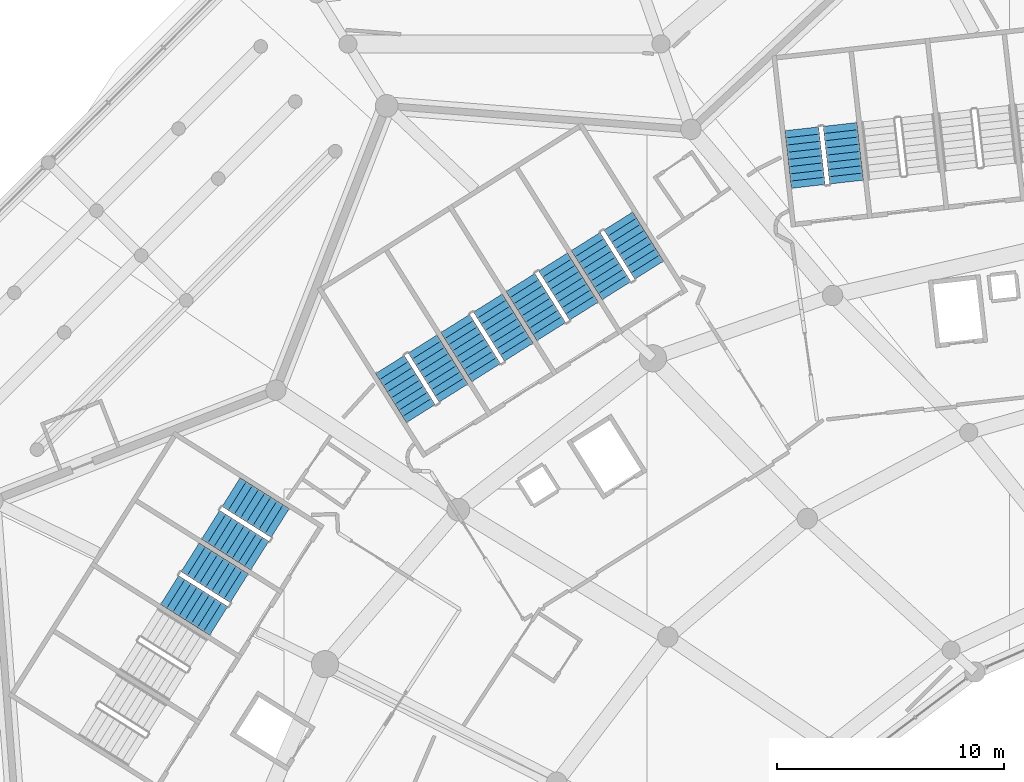
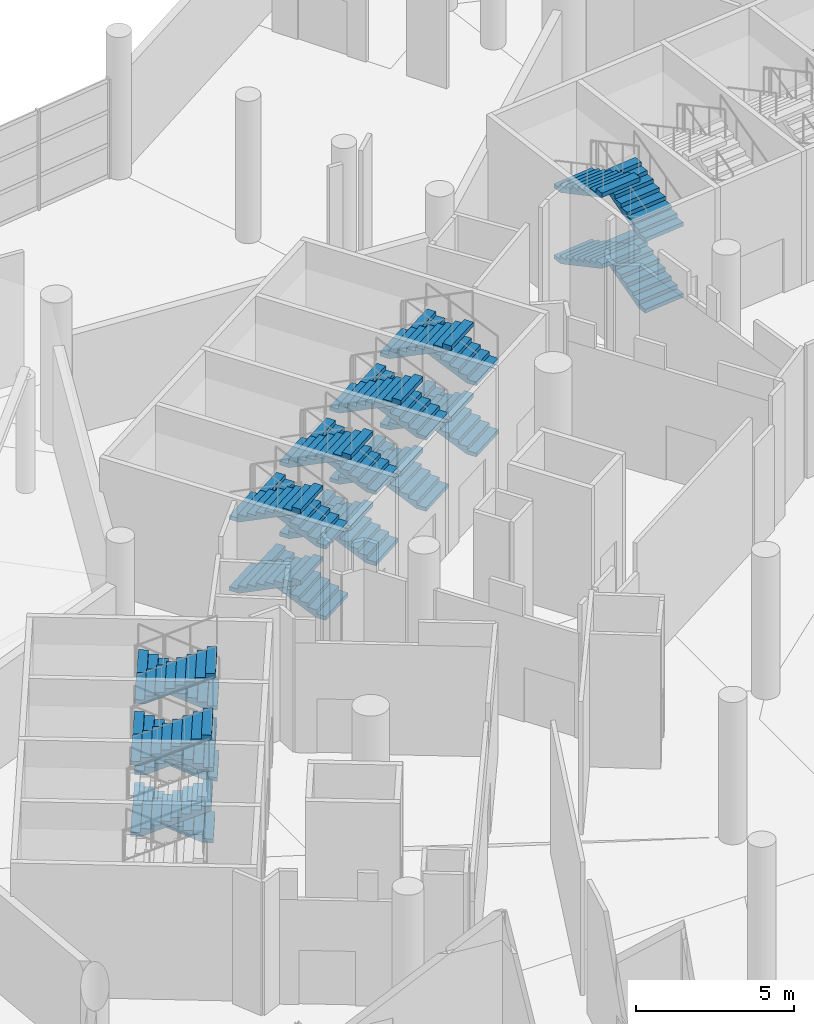
# One storey, part 215 of 271: 28 stair flights, 7 elements without a shape of their own.
"""IFC4 building model written with IfcOpenShell, lengths in metres."""

from ifc_helpers import new_model, si_unit, direction, frame, origin, place, context, subcontext, project, spatial, polyline, outline, extrude, material, type_object, element, aggregate, save


model = new_model("IFC4")

# Units and contexts
model_context = context("Model", 3, precision=1e-05, world=origin(), true_north=direction((0.0, 1.0)))
body_context = subcontext(model_context, "Body", "Model", "MODEL_VIEW")
ifc_project = project(units=[si_unit("LENGTHUNIT", "METRE"), si_unit("AREAUNIT", "SQUARE_METRE"), si_unit("VOLUMEUNIT", "CUBIC_METRE"), si_unit("PLANEANGLEUNIT", "RADIAN"), si_unit("MASSUNIT", "GRAM", prefix="KILO")], contexts=[model_context])

# Site, building, storey
site_placement = place(None, origin())
site = spatial("IfcSite", under=ifc_project, at=site_placement, CompositionType="ELEMENT")
building_placement = place(site_placement, origin())
building = spatial("IfcBuilding", under=site, at=building_placement, Name="Meseta Stadium", CompositionType="ELEMENT")
storey_placement = place(building_placement, frame((0.0, 0.0, 6.5)))
storey = spatial("IfcBuildingStorey", under=building, at=storey_placement, Name="L01", CompositionType="ELEMENT", Elevation=6.5)

# Stair, stair flights
ifc_material_1 = material(Name="Concrete C40/50", Category="concrete")
stair_type = type_object("IfcStairType", Name="Exit stair 4 flights 153 mm risers", PredefinedType="HALF_TURN_STAIR", material=ifc_material_1)
stair_1_placement = place(storey_placement, origin())
stair_1 = element("IfcStair", 1, at=stair_1_placement, inside=storey, type_object=stair_type, Name="ST48 L01", PredefinedType="HALF_TURN_STAIR")
ifc_material_2 = material(Name="Concrete C40/50", Category="concrete")
stair_flight_type = type_object("IfcStairFlightType", Name="Exit stair flight 153 mm risers, 4 per storey", PredefinedType="STRAIGHT", material=ifc_material_2)
stair_flight_1_placement = place(storey_placement, frame((-55.183349609375, 93.545654296875, 0.0), z_axis=(0.0, 0.0, 1.0), x_axis=(-0.11196446867, 0.993712210731, 0.0)))
stair_flight_1 = element("IfcStairFlight", 2, at=stair_flight_1_placement, type_object=stair_flight_type, Name="ST48 L01 flight 1", NumberOfRisers=9, NumberOfTreads=8, PredefinedType="STRAIGHT", RiserHeight=0.152777778, TreadLength=0.32, context=body_context, shape_type="SweptSolid", body=[
    extrude(outline(polyline([(0.0, 0.0), (0.0, 0.15283203125), (0.320068359375, 0.15283203125), (0.320068359375, 0.3056640625), (0.639892578125, 0.3056640625), (0.639892578125, 0.458251953125), (0.9599609375, 0.458251953125), (0.9599609375, 0.611083984375), (1.280029296875, 0.611083984375), (1.280029296875, 0.763916015625), (1.60009765625, 0.763916015625), (1.60009765625, 0.916748046875), (1.919921875, 0.916748046875), (1.919921875, 1.0693359375), (2.239990234375, 1.0693359375), (2.239990234375, 1.22216796875), (2.56005859375, 1.22216796875), (2.56005859375, 1.05615234375), (0.347900390625, 0.0), (0.0, 0.0)])), frame((0.0, 0.75, 0.0), z_axis=(0.0, -1.0, 0.0), x_axis=(1.0, 0.0, 0.0)), (0.0, 0.0, 1.0), 1.5),
])
stair_flight_2_placement = place(storey_placement, frame((-57.1591796875, 95.899169921875, 1.375), z_axis=(0.0, 0.0, 1.0), x_axis=(0.11196446867, -0.993712210731, 0.0)))
stair_flight_2 = element("IfcStairFlight", 3, at=stair_flight_2_placement, type_object=stair_flight_type, Name="ST48 L01 flight 2", NumberOfRisers=9, NumberOfTreads=8, PredefinedType="STRAIGHT", RiserHeight=0.152777778, TreadLength=0.32, context=body_context, shape_type="SweptSolid", body=[
    extrude(outline(polyline([(0.0, 0.0), (0.0, 0.15283203125), (0.320068359375, 0.15283203125), (0.320068359375, 0.3056640625), (0.639892578125, 0.3056640625), (0.639892578125, 0.458251953125), (0.9599609375, 0.458251953125), (0.9599609375, 0.611083984375), (1.280029296875, 0.611083984375), (1.280029296875, 0.763916015625), (1.60009765625, 0.763916015625), (1.60009765625, 0.916748046875), (1.919921875, 0.916748046875), (1.919921875, 1.0693359375), (2.239990234375, 1.0693359375), (2.239990234375, 1.22216796875), (2.56005859375, 1.22216796875), (2.56005859375, 1.05615234375), (0.347900390625, 0.0), (0.0, 0.0)])), frame((0.0, 0.75, 0.0), z_axis=(0.0, -1.0, 0.0), x_axis=(1.0, 0.0, 0.0)), (0.0, 0.0, 1.0), 1.5),
])
stair_flight_3_placement = place(storey_placement, frame((-55.183349609375, 93.545654296875, 2.75), z_axis=(0.0, 0.0, 1.0), x_axis=(-0.11196446867, 0.993712210731, 0.0)))
stair_flight_3 = element("IfcStairFlight", 4, at=stair_flight_3_placement, type_object=stair_flight_type, Name="ST48 L01 flight 3", NumberOfRisers=9, NumberOfTreads=8, PredefinedType="STRAIGHT", RiserHeight=0.152777778, TreadLength=0.32, context=body_context, shape_type="SweptSolid", body=[
    extrude(outline(polyline([(0.0, 0.0), (0.0, 0.15283203125), (0.320068359375, 0.15283203125), (0.320068359375, 0.3056640625), (0.639892578125, 0.3056640625), (0.639892578125, 0.458251953125), (0.9599609375, 0.458251953125), (0.9599609375, 0.611083984375), (1.280029296875, 0.611083984375), (1.280029296875, 0.763916015625), (1.60009765625, 0.763916015625), (1.60009765625, 0.916748046875), (1.919921875, 0.916748046875), (1.919921875, 1.0693359375), (2.239990234375, 1.0693359375), (2.239990234375, 1.22216796875), (2.56005859375, 1.22216796875), (2.56005859375, 1.05615234375), (0.347900390625, 0.0), (0.0, 0.0)])), frame((0.0, 0.75, 0.0), z_axis=(0.0, -1.0, 0.0), x_axis=(1.0, 0.0, 0.0)), (0.0, 0.0, 1.0), 1.5),
])
stair_flight_4_placement = place(storey_placement, frame((-57.1591796875, 95.899169921875, 4.125), z_axis=(0.0, 0.0, 1.0), x_axis=(0.11196446867, -0.993712210731, 0.0)))
stair_flight_4 = element("IfcStairFlight", 5, at=stair_flight_4_placement, type_object=stair_flight_type, Name="ST48 L01 flight 4", NumberOfRisers=9, NumberOfTreads=8, PredefinedType="STRAIGHT", RiserHeight=0.152777778, TreadLength=0.32, context=body_context, shape_type="SweptSolid", body=[
    extrude(outline(polyline([(0.0, 0.0), (0.0, 0.15283203125), (0.320068359375, 0.15283203125), (0.320068359375, 0.3056640625), (0.639892578125, 0.3056640625), (0.639892578125, 0.458251953125), (0.9599609375, 0.458251953125), (0.9599609375, 0.611083984375), (1.280029296875, 0.611083984375), (1.280029296875, 0.763916015625), (1.60009765625, 0.763916015625), (1.60009765625, 0.916748046875), (1.919921875, 0.916748046875), (1.919921875, 1.0693359375), (2.239990234375, 1.0693359375), (2.239990234375, 1.22216796875), (2.56005859375, 1.22216796875), (2.56005859375, 1.05615234375), (0.347900390625, 0.0), (0.0, 0.0)])), frame((0.0, 0.75, 0.0), z_axis=(0.0, -1.0, 0.0), x_axis=(1.0, 0.0, 0.0)), (0.0, 0.0, 1.0), 1.5),
])
aggregate(stair_1, [stair_flight_1, stair_flight_2, stair_flight_3, stair_flight_4])

stair_2_placement = place(storey_placement, origin())
stair_2 = element("IfcStair", 6, at=stair_2_placement, inside=storey, type_object=stair_type, Name="ST49 L01", PredefinedType="HALF_TURN_STAIR")
stair_flight_5_placement = place(storey_placement, frame((-63.892578125, 89.659423828125, 0.0), z_axis=(0.0, 0.0, 1.0), x_axis=(-0.532032074404, 0.846724200555, 0.0)))
stair_flight_5 = element("IfcStairFlight", 7, at=stair_flight_5_placement, type_object=stair_flight_type, Name="ST49 L01 flight 1", NumberOfRisers=9, NumberOfTreads=8, PredefinedType="STRAIGHT", RiserHeight=0.152777778, TreadLength=0.32, context=body_context, shape_type="SweptSolid", body=[
    extrude(outline(polyline([(0.0, 0.0), (0.0, 0.15283203125), (0.320068359375, 0.15283203125), (0.320068359375, 0.3056640625), (0.639892578125, 0.3056640625), (0.639892578125, 0.458251953125), (0.9599609375, 0.458251953125), (0.9599609375, 0.611083984375), (1.280029296875, 0.611083984375), (1.280029296875, 0.763916015625), (1.60009765625, 0.763916015625), (1.60009765625, 0.916748046875), (1.919921875, 0.916748046875), (1.919921875, 1.0693359375), (2.239990234375, 1.0693359375), (2.239990234375, 1.22216796875), (2.56005859375, 1.22216796875), (2.56005859375, 1.05615234375), (0.347900390625, 0.0), (0.0, 0.0)])), frame((0.0, 0.75, 0.0), z_axis=(0.0, -1.0, 0.0), x_axis=(1.0, 0.0, 0.0)), (0.0, 0.0, 1.0), 1.5),
])
stair_flight_6_placement = place(storey_placement, frame((-66.694091796875, 90.922607421875, 1.375), z_axis=(0.0, 0.0, 1.0), x_axis=(0.532032074404, -0.846724200555, 0.0)))
stair_flight_6 = element("IfcStairFlight", 8, at=stair_flight_6_placement, type_object=stair_flight_type, Name="ST49 L01 flight 2", NumberOfRisers=9, NumberOfTreads=8, PredefinedType="STRAIGHT", RiserHeight=0.152777778, TreadLength=0.32, context=body_context, shape_type="SweptSolid", body=[
    extrude(outline(polyline([(0.0, 0.0), (0.0, 0.15283203125), (0.320068359375, 0.15283203125), (0.320068359375, 0.3056640625), (0.639892578125, 0.3056640625), (0.639892578125, 0.458251953125), (0.9599609375, 0.458251953125), (0.9599609375, 0.611083984375), (1.280029296875, 0.611083984375), (1.280029296875, 0.763916015625), (1.60009765625, 0.763916015625), (1.60009765625, 0.916748046875), (1.919921875, 0.916748046875), (1.919921875, 1.0693359375), (2.239990234375, 1.0693359375), (2.239990234375, 1.22216796875), (2.56005859375, 1.22216796875), (2.56005859375, 1.05615234375), (0.347900390625, 0.0), (0.0, 0.0)])), frame((0.0, 0.75, 0.0), z_axis=(0.0, -1.0, 0.0), x_axis=(1.0, 0.0, 0.0)), (0.0, 0.0, 1.0), 1.5),
])
stair_flight_7_placement = place(storey_placement, frame((-63.892578125, 89.659423828125, 2.75), z_axis=(0.0, 0.0, 1.0), x_axis=(-0.532032074404, 0.846724200555, 0.0)))
stair_flight_7 = element("IfcStairFlight", 9, at=stair_flight_7_placement, type_object=stair_flight_type, Name="ST49 L01 flight 3", NumberOfRisers=9, NumberOfTreads=8, PredefinedType="STRAIGHT", RiserHeight=0.152777778, TreadLength=0.32, context=body_context, shape_type="SweptSolid", body=[
    extrude(outline(polyline([(0.0, 0.0), (0.0, 0.15283203125), (0.320068359375, 0.15283203125), (0.320068359375, 0.3056640625), (0.639892578125, 0.3056640625), (0.639892578125, 0.458251953125), (0.9599609375, 0.458251953125), (0.9599609375, 0.611083984375), (1.280029296875, 0.611083984375), (1.280029296875, 0.763916015625), (1.60009765625, 0.763916015625), (1.60009765625, 0.916748046875), (1.919921875, 0.916748046875), (1.919921875, 1.0693359375), (2.239990234375, 1.0693359375), (2.239990234375, 1.22216796875), (2.56005859375, 1.22216796875), (2.56005859375, 1.05615234375), (0.347900390625, 0.0), (0.0, 0.0)])), frame((0.0, 0.75, 0.0), z_axis=(0.0, -1.0, 0.0), x_axis=(1.0, 0.0, 0.0)), (0.0, 0.0, 1.0), 1.5),
])
stair_flight_8_placement = place(storey_placement, frame((-66.694091796875, 90.922607421875, 4.125), z_axis=(0.0, 0.0, 1.0), x_axis=(0.532032074404, -0.846724200555, 0.0)))
stair_flight_8 = element("IfcStairFlight", 10, at=stair_flight_8_placement, type_object=stair_flight_type, Name="ST49 L01 flight 4", NumberOfRisers=9, NumberOfTreads=8, PredefinedType="STRAIGHT", RiserHeight=0.152777778, TreadLength=0.32, context=body_context, shape_type="SweptSolid", body=[
    extrude(outline(polyline([(0.0, 0.0), (0.0, 0.15283203125), (0.320068359375, 0.15283203125), (0.320068359375, 0.3056640625), (0.639892578125, 0.3056640625), (0.639892578125, 0.458251953125), (0.9599609375, 0.458251953125), (0.9599609375, 0.611083984375), (1.280029296875, 0.611083984375), (1.280029296875, 0.763916015625), (1.60009765625, 0.763916015625), (1.60009765625, 0.916748046875), (1.919921875, 0.916748046875), (1.919921875, 1.0693359375), (2.239990234375, 1.0693359375), (2.239990234375, 1.22216796875), (2.56005859375, 1.22216796875), (2.56005859375, 1.05615234375), (0.347900390625, 0.0), (0.0, 0.0)])), frame((0.0, 0.75, 0.0), z_axis=(0.0, -1.0, 0.0), x_axis=(1.0, 0.0, 0.0)), (0.0, 0.0, 1.0), 1.5),
])
aggregate(stair_2, [stair_flight_5, stair_flight_6, stair_flight_7, stair_flight_8])

stair_3_placement = place(storey_placement, origin())
stair_3 = element("IfcStair", 11, at=stair_3_placement, inside=storey, type_object=stair_type, Name="ST50 L01", PredefinedType="HALF_TURN_STAIR")
stair_flight_9_placement = place(storey_placement, frame((-66.771484375, 87.8505859375, 0.0), z_axis=(0.0, 0.0, 1.0), x_axis=(-0.532032074404, 0.846724200555, 0.0)))
stair_flight_9 = element("IfcStairFlight", 12, at=stair_flight_9_placement, type_object=stair_flight_type, Name="ST50 L01 flight 1", NumberOfRisers=9, NumberOfTreads=8, PredefinedType="STRAIGHT", RiserHeight=0.152777778, TreadLength=0.32, context=body_context, shape_type="SweptSolid", body=[
    extrude(outline(polyline([(0.0, 0.0), (0.0, 0.15283203125), (0.320068359375, 0.15283203125), (0.320068359375, 0.3056640625), (0.639892578125, 0.3056640625), (0.639892578125, 0.458251953125), (0.9599609375, 0.458251953125), (0.9599609375, 0.611083984375), (1.280029296875, 0.611083984375), (1.280029296875, 0.763916015625), (1.60009765625, 0.763916015625), (1.60009765625, 0.916748046875), (1.919921875, 0.916748046875), (1.919921875, 1.0693359375), (2.239990234375, 1.0693359375), (2.239990234375, 1.22216796875), (2.56005859375, 1.22216796875), (2.56005859375, 1.05615234375), (0.347900390625, 0.0), (0.0, 0.0)])), frame((0.0, 0.75, 0.0), z_axis=(0.0, -1.0, 0.0), x_axis=(1.0, 0.0, 0.0)), (0.0, 0.0, 1.0), 1.5),
])
stair_flight_10_placement = place(storey_placement, frame((-69.57275390625, 89.11376953125, 1.375), z_axis=(0.0, 0.0, 1.0), x_axis=(0.532032074404, -0.846724200555, 0.0)))
stair_flight_10 = element("IfcStairFlight", 13, at=stair_flight_10_placement, type_object=stair_flight_type, Name="ST50 L01 flight 2", NumberOfRisers=9, NumberOfTreads=8, PredefinedType="STRAIGHT", RiserHeight=0.152777778, TreadLength=0.32, context=body_context, shape_type="SweptSolid", body=[
    extrude(outline(polyline([(0.0, 0.0), (0.0, 0.15283203125), (0.320068359375, 0.15283203125), (0.320068359375, 0.3056640625), (0.639892578125, 0.3056640625), (0.639892578125, 0.458251953125), (0.9599609375, 0.458251953125), (0.9599609375, 0.611083984375), (1.280029296875, 0.611083984375), (1.280029296875, 0.763916015625), (1.60009765625, 0.763916015625), (1.60009765625, 0.916748046875), (1.919921875, 0.916748046875), (1.919921875, 1.0693359375), (2.239990234375, 1.0693359375), (2.239990234375, 1.22216796875), (2.56005859375, 1.22216796875), (2.56005859375, 1.05615234375), (0.347900390625, 0.0), (0.0, 0.0)])), frame((0.0, 0.75, 0.0), z_axis=(0.0, -1.0, 0.0), x_axis=(1.0, 0.0, 0.0)), (0.0, 0.0, 1.0), 1.5),
])
stair_flight_11_placement = place(storey_placement, frame((-66.771484375, 87.8505859375, 2.75), z_axis=(0.0, 0.0, 1.0), x_axis=(-0.532032074404, 0.846724200555, 0.0)))
stair_flight_11 = element("IfcStairFlight", 14, at=stair_flight_11_placement, type_object=stair_flight_type, Name="ST50 L01 flight 3", NumberOfRisers=9, NumberOfTreads=8, PredefinedType="STRAIGHT", RiserHeight=0.152777778, TreadLength=0.32, context=body_context, shape_type="SweptSolid", body=[
    extrude(outline(polyline([(0.0, 0.0), (0.0, 0.15283203125), (0.320068359375, 0.15283203125), (0.320068359375, 0.3056640625), (0.639892578125, 0.3056640625), (0.639892578125, 0.458251953125), (0.9599609375, 0.458251953125), (0.9599609375, 0.611083984375), (1.280029296875, 0.611083984375), (1.280029296875, 0.763916015625), (1.60009765625, 0.763916015625), (1.60009765625, 0.916748046875), (1.919921875, 0.916748046875), (1.919921875, 1.0693359375), (2.239990234375, 1.0693359375), (2.239990234375, 1.22216796875), (2.56005859375, 1.22216796875), (2.56005859375, 1.05615234375), (0.347900390625, 0.0), (0.0, 0.0)])), frame((0.0, 0.75, 0.0), z_axis=(0.0, -1.0, 0.0), x_axis=(1.0, 0.0, 0.0)), (0.0, 0.0, 1.0), 1.5),
])
stair_flight_12_placement = place(storey_placement, frame((-69.57275390625, 89.11376953125, 4.125), z_axis=(0.0, 0.0, 1.0), x_axis=(0.532032074404, -0.846724200555, 0.0)))
stair_flight_12 = element("IfcStairFlight", 15, at=stair_flight_12_placement, type_object=stair_flight_type, Name="ST50 L01 flight 4", NumberOfRisers=9, NumberOfTreads=8, PredefinedType="STRAIGHT", RiserHeight=0.152777778, TreadLength=0.32, context=body_context, shape_type="SweptSolid", body=[
    extrude(outline(polyline([(0.0, 0.0), (0.0, 0.15283203125), (0.320068359375, 0.15283203125), (0.320068359375, 0.3056640625), (0.639892578125, 0.3056640625), (0.639892578125, 0.458251953125), (0.9599609375, 0.458251953125), (0.9599609375, 0.611083984375), (1.280029296875, 0.611083984375), (1.280029296875, 0.763916015625), (1.60009765625, 0.763916015625), (1.60009765625, 0.916748046875), (1.919921875, 0.916748046875), (1.919921875, 1.0693359375), (2.239990234375, 1.0693359375), (2.239990234375, 1.22216796875), (2.56005859375, 1.22216796875), (2.56005859375, 1.05615234375), (0.347900390625, 0.0), (0.0, 0.0)])), frame((0.0, 0.75, 0.0), z_axis=(0.0, -1.0, 0.0), x_axis=(1.0, 0.0, 0.0)), (0.0, 0.0, 1.0), 1.5),
])
aggregate(stair_3, [stair_flight_9, stair_flight_10, stair_flight_11, stair_flight_12])

stair_4_placement = place(storey_placement, origin())
stair_4 = element("IfcStair", 16, at=stair_4_placement, inside=storey, type_object=stair_type, Name="ST51 L01", PredefinedType="HALF_TURN_STAIR")
stair_flight_13_placement = place(storey_placement, frame((-69.650390625, 86.04150390625, 0.0), z_axis=(0.0, 0.0, 1.0), x_axis=(-0.532032074404, 0.846724200555, 0.0)))
stair_flight_13 = element("IfcStairFlight", 17, at=stair_flight_13_placement, type_object=stair_flight_type, Name="ST51 L01 flight 1", NumberOfRisers=9, NumberOfTreads=8, PredefinedType="STRAIGHT", RiserHeight=0.152777778, TreadLength=0.32, context=body_context, shape_type="SweptSolid", body=[
    extrude(outline(polyline([(0.0, 0.0), (0.0, 0.15283203125), (0.320068359375, 0.15283203125), (0.320068359375, 0.3056640625), (0.639892578125, 0.3056640625), (0.639892578125, 0.458251953125), (0.9599609375, 0.458251953125), (0.9599609375, 0.611083984375), (1.280029296875, 0.611083984375), (1.280029296875, 0.763916015625), (1.60009765625, 0.763916015625), (1.60009765625, 0.916748046875), (1.919921875, 0.916748046875), (1.919921875, 1.0693359375), (2.239990234375, 1.0693359375), (2.239990234375, 1.22216796875), (2.56005859375, 1.22216796875), (2.56005859375, 1.05615234375), (0.347900390625, 0.0), (0.0, 0.0)])), frame((0.0, 0.75, 0.0), z_axis=(0.0, -1.0, 0.0), x_axis=(1.0, 0.0, 0.0)), (0.0, 0.0, 1.0), 1.5),
])
stair_flight_14_placement = place(storey_placement, frame((-72.45166015625, 87.3046875, 1.375), z_axis=(0.0, 0.0, 1.0), x_axis=(0.532032074404, -0.846724200555, 0.0)))
stair_flight_14 = element("IfcStairFlight", 18, at=stair_flight_14_placement, type_object=stair_flight_type, Name="ST51 L01 flight 2", NumberOfRisers=9, NumberOfTreads=8, PredefinedType="STRAIGHT", RiserHeight=0.152777778, TreadLength=0.32, context=body_context, shape_type="SweptSolid", body=[
    extrude(outline(polyline([(0.0, 0.0), (0.0, 0.15283203125), (0.320068359375, 0.15283203125), (0.320068359375, 0.3056640625), (0.639892578125, 0.3056640625), (0.639892578125, 0.458251953125), (0.9599609375, 0.458251953125), (0.9599609375, 0.611083984375), (1.280029296875, 0.611083984375), (1.280029296875, 0.763916015625), (1.60009765625, 0.763916015625), (1.60009765625, 0.916748046875), (1.919921875, 0.916748046875), (1.919921875, 1.0693359375), (2.239990234375, 1.0693359375), (2.239990234375, 1.22216796875), (2.56005859375, 1.22216796875), (2.56005859375, 1.05615234375), (0.347900390625, 0.0), (0.0, 0.0)])), frame((0.0, 0.75, 0.0), z_axis=(0.0, -1.0, 0.0), x_axis=(1.0, 0.0, 0.0)), (0.0, 0.0, 1.0), 1.5),
])
stair_flight_15_placement = place(storey_placement, frame((-69.650390625, 86.04150390625, 2.75), z_axis=(0.0, 0.0, 1.0), x_axis=(-0.532032074404, 0.846724200555, 0.0)))
stair_flight_15 = element("IfcStairFlight", 19, at=stair_flight_15_placement, type_object=stair_flight_type, Name="ST51 L01 flight 3", NumberOfRisers=9, NumberOfTreads=8, PredefinedType="STRAIGHT", RiserHeight=0.152777778, TreadLength=0.32, context=body_context, shape_type="SweptSolid", body=[
    extrude(outline(polyline([(0.0, 0.0), (0.0, 0.15283203125), (0.320068359375, 0.15283203125), (0.320068359375, 0.3056640625), (0.639892578125, 0.3056640625), (0.639892578125, 0.458251953125), (0.9599609375, 0.458251953125), (0.9599609375, 0.611083984375), (1.280029296875, 0.611083984375), (1.280029296875, 0.763916015625), (1.60009765625, 0.763916015625), (1.60009765625, 0.916748046875), (1.919921875, 0.916748046875), (1.919921875, 1.0693359375), (2.239990234375, 1.0693359375), (2.239990234375, 1.22216796875), (2.56005859375, 1.22216796875), (2.56005859375, 1.05615234375), (0.347900390625, 0.0), (0.0, 0.0)])), frame((0.0, 0.75, 0.0), z_axis=(0.0, -1.0, 0.0), x_axis=(1.0, 0.0, 0.0)), (0.0, 0.0, 1.0), 1.5),
])
stair_flight_16_placement = place(storey_placement, frame((-72.45166015625, 87.3046875, 4.125), z_axis=(0.0, 0.0, 1.0), x_axis=(0.532032074404, -0.846724200555, 0.0)))
stair_flight_16 = element("IfcStairFlight", 20, at=stair_flight_16_placement, type_object=stair_flight_type, Name="ST51 L01 flight 4", NumberOfRisers=9, NumberOfTreads=8, PredefinedType="STRAIGHT", RiserHeight=0.152777778, TreadLength=0.32, context=body_context, shape_type="SweptSolid", body=[
    extrude(outline(polyline([(0.0, 0.0), (0.0, 0.15283203125), (0.320068359375, 0.15283203125), (0.320068359375, 0.3056640625), (0.639892578125, 0.3056640625), (0.639892578125, 0.458251953125), (0.9599609375, 0.458251953125), (0.9599609375, 0.611083984375), (1.280029296875, 0.611083984375), (1.280029296875, 0.763916015625), (1.60009765625, 0.763916015625), (1.60009765625, 0.916748046875), (1.919921875, 0.916748046875), (1.919921875, 1.0693359375), (2.239990234375, 1.0693359375), (2.239990234375, 1.22216796875), (2.56005859375, 1.22216796875), (2.56005859375, 1.05615234375), (0.347900390625, 0.0), (0.0, 0.0)])), frame((0.0, 0.75, 0.0), z_axis=(0.0, -1.0, 0.0), x_axis=(1.0, 0.0, 0.0)), (0.0, 0.0, 1.0), 1.5),
])
aggregate(stair_4, [stair_flight_13, stair_flight_14, stair_flight_15, stair_flight_16])

stair_5_placement = place(storey_placement, origin())
stair_5 = element("IfcStair", 21, at=stair_5_placement, inside=storey, type_object=stair_type, Name="ST52 L01", PredefinedType="HALF_TURN_STAIR")
stair_flight_17_placement = place(storey_placement, frame((-72.529052734375, 84.232666015625, 0.0), z_axis=(0.0, 0.0, 1.0), x_axis=(-0.532032074404, 0.846724200555, 0.0)))
stair_flight_17 = element("IfcStairFlight", 22, at=stair_flight_17_placement, type_object=stair_flight_type, Name="ST52 L01 flight 1", NumberOfRisers=9, NumberOfTreads=8, PredefinedType="STRAIGHT", RiserHeight=0.152777778, TreadLength=0.32, context=body_context, shape_type="SweptSolid", body=[
    extrude(outline(polyline([(0.0, 0.0), (0.0, 0.15283203125), (0.320068359375, 0.15283203125), (0.320068359375, 0.3056640625), (0.639892578125, 0.3056640625), (0.639892578125, 0.458251953125), (0.9599609375, 0.458251953125), (0.9599609375, 0.611083984375), (1.280029296875, 0.611083984375), (1.280029296875, 0.763916015625), (1.60009765625, 0.763916015625), (1.60009765625, 0.916748046875), (1.919921875, 0.916748046875), (1.919921875, 1.0693359375), (2.239990234375, 1.0693359375), (2.239990234375, 1.22216796875), (2.56005859375, 1.22216796875), (2.56005859375, 1.05615234375), (0.347900390625, 0.0), (0.0, 0.0)])), frame((0.0, 0.75, 0.0), z_axis=(0.0, -1.0, 0.0), x_axis=(1.0, 0.0, 0.0)), (0.0, 0.0, 1.0), 1.5),
])
stair_flight_18_placement = place(storey_placement, frame((-75.33056640625, 85.495849609375, 1.375), z_axis=(0.0, 0.0, 1.0), x_axis=(0.532032074404, -0.846724200555, 0.0)))
stair_flight_18 = element("IfcStairFlight", 23, at=stair_flight_18_placement, type_object=stair_flight_type, Name="ST52 L01 flight 2", NumberOfRisers=9, NumberOfTreads=8, PredefinedType="STRAIGHT", RiserHeight=0.152777778, TreadLength=0.32, context=body_context, shape_type="SweptSolid", body=[
    extrude(outline(polyline([(0.0, 0.0), (0.0, 0.15283203125), (0.320068359375, 0.15283203125), (0.320068359375, 0.3056640625), (0.639892578125, 0.3056640625), (0.639892578125, 0.458251953125), (0.9599609375, 0.458251953125), (0.9599609375, 0.611083984375), (1.280029296875, 0.611083984375), (1.280029296875, 0.763916015625), (1.60009765625, 0.763916015625), (1.60009765625, 0.916748046875), (1.919921875, 0.916748046875), (1.919921875, 1.0693359375), (2.239990234375, 1.0693359375), (2.239990234375, 1.22216796875), (2.56005859375, 1.22216796875), (2.56005859375, 1.05615234375), (0.347900390625, 0.0), (0.0, 0.0)])), frame((0.0, 0.75, 0.0), z_axis=(0.0, -1.0, 0.0), x_axis=(1.0, 0.0, 0.0)), (0.0, 0.0, 1.0), 1.5),
])
stair_flight_19_placement = place(storey_placement, frame((-72.529052734375, 84.232666015625, 2.75), z_axis=(0.0, 0.0, 1.0), x_axis=(-0.532032074404, 0.846724200555, 0.0)))
stair_flight_19 = element("IfcStairFlight", 24, at=stair_flight_19_placement, type_object=stair_flight_type, Name="ST52 L01 flight 3", NumberOfRisers=9, NumberOfTreads=8, PredefinedType="STRAIGHT", RiserHeight=0.152777778, TreadLength=0.32, context=body_context, shape_type="SweptSolid", body=[
    extrude(outline(polyline([(0.0, 0.0), (0.0, 0.15283203125), (0.320068359375, 0.15283203125), (0.320068359375, 0.3056640625), (0.639892578125, 0.3056640625), (0.639892578125, 0.458251953125), (0.9599609375, 0.458251953125), (0.9599609375, 0.611083984375), (1.280029296875, 0.611083984375), (1.280029296875, 0.763916015625), (1.60009765625, 0.763916015625), (1.60009765625, 0.916748046875), (1.919921875, 0.916748046875), (1.919921875, 1.0693359375), (2.239990234375, 1.0693359375), (2.239990234375, 1.22216796875), (2.56005859375, 1.22216796875), (2.56005859375, 1.05615234375), (0.347900390625, 0.0), (0.0, 0.0)])), frame((0.0, 0.75, 0.0), z_axis=(0.0, -1.0, 0.0), x_axis=(1.0, 0.0, 0.0)), (0.0, 0.0, 1.0), 1.5),
])
stair_flight_20_placement = place(storey_placement, frame((-75.33056640625, 85.495849609375, 4.125), z_axis=(0.0, 0.0, 1.0), x_axis=(0.532032074404, -0.846724200555, 0.0)))
stair_flight_20 = element("IfcStairFlight", 25, at=stair_flight_20_placement, type_object=stair_flight_type, Name="ST52 L01 flight 4", NumberOfRisers=9, NumberOfTreads=8, PredefinedType="STRAIGHT", RiserHeight=0.152777778, TreadLength=0.32, context=body_context, shape_type="SweptSolid", body=[
    extrude(outline(polyline([(0.0, 0.0), (0.0, 0.15283203125), (0.320068359375, 0.15283203125), (0.320068359375, 0.3056640625), (0.639892578125, 0.3056640625), (0.639892578125, 0.458251953125), (0.9599609375, 0.458251953125), (0.9599609375, 0.611083984375), (1.280029296875, 0.611083984375), (1.280029296875, 0.763916015625), (1.60009765625, 0.763916015625), (1.60009765625, 0.916748046875), (1.919921875, 0.916748046875), (1.919921875, 1.0693359375), (2.239990234375, 1.0693359375), (2.239990234375, 1.22216796875), (2.56005859375, 1.22216796875), (2.56005859375, 1.05615234375), (0.347900390625, 0.0), (0.0, 0.0)])), frame((0.0, 0.75, 0.0), z_axis=(0.0, -1.0, 0.0), x_axis=(1.0, 0.0, 0.0)), (0.0, 0.0, 1.0), 1.5),
])
aggregate(stair_5, [stair_flight_17, stair_flight_18, stair_flight_19, stair_flight_20])

stair_6_placement = place(storey_placement, origin())
stair_6 = element("IfcStair", 26, at=stair_6_placement, inside=storey, type_object=stair_type, Name="ST53 L01", PredefinedType="HALF_TURN_STAIR")
stair_flight_21_placement = place(storey_placement, frame((-80.175048828125, 78.500732421875, 0.0), z_axis=(0.0, 0.0, 1.0), x_axis=(-0.846724200555, 0.532032074404, 0.0)))
stair_flight_21 = element("IfcStairFlight", 27, at=stair_flight_21_placement, type_object=stair_flight_type, Name="ST53 L01 flight 1", NumberOfRisers=9, NumberOfTreads=8, PredefinedType="STRAIGHT", RiserHeight=0.152777778, TreadLength=0.32, context=body_context, shape_type="SweptSolid", body=[
    extrude(outline(polyline([(0.0, 0.0), (0.0, 0.15283203125), (0.320068359375, 0.15283203125), (0.320068359375, 0.3056640625), (0.639892578125, 0.3056640625), (0.639892578125, 0.458251953125), (0.9599609375, 0.458251953125), (0.9599609375, 0.611083984375), (1.280029296875, 0.611083984375), (1.280029296875, 0.763916015625), (1.60009765625, 0.763916015625), (1.60009765625, 0.916748046875), (1.919921875, 0.916748046875), (1.919921875, 1.0693359375), (2.239990234375, 1.0693359375), (2.239990234375, 1.22216796875), (2.56005859375, 1.22216796875), (2.56005859375, 1.05615234375), (0.347900390625, 0.0), (0.0, 0.0)])), frame((0.0, 0.75, 0.0), z_axis=(0.0, -1.0, 0.0), x_axis=(1.0, 0.0, 0.0)), (0.0, 0.0, 1.0), 1.5),
])
stair_flight_22_placement = place(storey_placement, frame((-83.2470703125, 78.423095703125, 1.375), z_axis=(0.0, 0.0, 1.0), x_axis=(0.846724200555, -0.532032074404, 0.0)))
stair_flight_22 = element("IfcStairFlight", 28, at=stair_flight_22_placement, type_object=stair_flight_type, Name="ST53 L01 flight 2", NumberOfRisers=9, NumberOfTreads=8, PredefinedType="STRAIGHT", RiserHeight=0.152777778, TreadLength=0.32, context=body_context, shape_type="SweptSolid", body=[
    extrude(outline(polyline([(0.0, 0.0), (0.0, 0.15283203125), (0.320068359375, 0.15283203125), (0.320068359375, 0.3056640625), (0.639892578125, 0.3056640625), (0.639892578125, 0.458251953125), (0.9599609375, 0.458251953125), (0.9599609375, 0.611083984375), (1.280029296875, 0.611083984375), (1.280029296875, 0.763916015625), (1.60009765625, 0.763916015625), (1.60009765625, 0.916748046875), (1.919921875, 0.916748046875), (1.919921875, 1.0693359375), (2.239990234375, 1.0693359375), (2.239990234375, 1.22216796875), (2.56005859375, 1.22216796875), (2.56005859375, 1.05615234375), (0.347900390625, 0.0), (0.0, 0.0)])), frame((0.0, 0.75, 0.0), z_axis=(0.0, -1.0, 0.0), x_axis=(1.0, 0.0, 0.0)), (0.0, 0.0, 1.0), 1.5),
])
stair_flight_23_placement = place(storey_placement, frame((-80.175048828125, 78.500732421875, 2.75), z_axis=(0.0, 0.0, 1.0), x_axis=(-0.846724200555, 0.532032074404, 0.0)))
stair_flight_23 = element("IfcStairFlight", 29, at=stair_flight_23_placement, type_object=stair_flight_type, Name="ST53 L01 flight 3", NumberOfRisers=9, NumberOfTreads=8, PredefinedType="STRAIGHT", RiserHeight=0.152777778, TreadLength=0.32, context=body_context, shape_type="SweptSolid", body=[
    extrude(outline(polyline([(0.0, 0.0), (0.0, 0.15283203125), (0.320068359375, 0.15283203125), (0.320068359375, 0.3056640625), (0.639892578125, 0.3056640625), (0.639892578125, 0.458251953125), (0.9599609375, 0.458251953125), (0.9599609375, 0.611083984375), (1.280029296875, 0.611083984375), (1.280029296875, 0.763916015625), (1.60009765625, 0.763916015625), (1.60009765625, 0.916748046875), (1.919921875, 0.916748046875), (1.919921875, 1.0693359375), (2.239990234375, 1.0693359375), (2.239990234375, 1.22216796875), (2.56005859375, 1.22216796875), (2.56005859375, 1.05615234375), (0.347900390625, 0.0), (0.0, 0.0)])), frame((0.0, 0.75, 0.0), z_axis=(0.0, -1.0, 0.0), x_axis=(1.0, 0.0, 0.0)), (0.0, 0.0, 1.0), 1.5),
])
stair_flight_24_placement = place(storey_placement, frame((-83.2470703125, 78.423095703125, 4.125), z_axis=(0.0, 0.0, 1.0), x_axis=(0.846724200555, -0.532032074404, 0.0)))
stair_flight_24 = element("IfcStairFlight", 30, at=stair_flight_24_placement, type_object=stair_flight_type, Name="ST53 L01 flight 4", NumberOfRisers=9, NumberOfTreads=8, PredefinedType="STRAIGHT", RiserHeight=0.152777778, TreadLength=0.32, context=body_context, shape_type="SweptSolid", body=[
    extrude(outline(polyline([(0.0, 0.0), (0.0, 0.15283203125), (0.320068359375, 0.15283203125), (0.320068359375, 0.3056640625), (0.639892578125, 0.3056640625), (0.639892578125, 0.458251953125), (0.9599609375, 0.458251953125), (0.9599609375, 0.611083984375), (1.280029296875, 0.611083984375), (1.280029296875, 0.763916015625), (1.60009765625, 0.763916015625), (1.60009765625, 0.916748046875), (1.919921875, 0.916748046875), (1.919921875, 1.0693359375), (2.239990234375, 1.0693359375), (2.239990234375, 1.22216796875), (2.56005859375, 1.22216796875), (2.56005859375, 1.05615234375), (0.347900390625, 0.0), (0.0, 0.0)])), frame((0.0, 0.75, 0.0), z_axis=(0.0, -1.0, 0.0), x_axis=(1.0, 0.0, 0.0)), (0.0, 0.0, 1.0), 1.5),
])
aggregate(stair_6, [stair_flight_21, stair_flight_22, stair_flight_23, stair_flight_24])

stair_7_placement = place(storey_placement, origin())
stair_7 = element("IfcStair", 31, at=stair_7_placement, inside=storey, type_object=stair_type, Name="ST54 L01", PredefinedType="HALF_TURN_STAIR")
stair_flight_25_placement = place(storey_placement, frame((-81.98388671875, 75.621826171875, 0.0), z_axis=(0.0, 0.0, 1.0), x_axis=(-0.846724200555, 0.532032074404, 0.0)))
stair_flight_25 = element("IfcStairFlight", 32, at=stair_flight_25_placement, type_object=stair_flight_type, Name="ST54 L01 flight 1", NumberOfRisers=9, NumberOfTreads=8, PredefinedType="STRAIGHT", RiserHeight=0.152777778, TreadLength=0.32, context=body_context, shape_type="SweptSolid", body=[
    extrude(outline(polyline([(0.0, 0.0), (0.0, 0.15283203125), (0.320068359375, 0.15283203125), (0.320068359375, 0.3056640625), (0.639892578125, 0.3056640625), (0.639892578125, 0.458251953125), (0.9599609375, 0.458251953125), (0.9599609375, 0.611083984375), (1.280029296875, 0.611083984375), (1.280029296875, 0.763916015625), (1.60009765625, 0.763916015625), (1.60009765625, 0.916748046875), (1.919921875, 0.916748046875), (1.919921875, 1.0693359375), (2.239990234375, 1.0693359375), (2.239990234375, 1.22216796875), (2.56005859375, 1.22216796875), (2.56005859375, 1.05615234375), (0.347900390625, 0.0), (0.0, 0.0)])), frame((0.0, 0.75, 0.0), z_axis=(0.0, -1.0, 0.0), x_axis=(1.0, 0.0, 0.0)), (0.0, 0.0, 1.0), 1.5),
])
stair_flight_26_placement = place(storey_placement, frame((-85.055908203125, 75.54443359375, 1.375), z_axis=(0.0, 0.0, 1.0), x_axis=(0.846724200555, -0.532032074404, 0.0)))
stair_flight_26 = element("IfcStairFlight", 33, at=stair_flight_26_placement, type_object=stair_flight_type, Name="ST54 L01 flight 2", NumberOfRisers=9, NumberOfTreads=8, PredefinedType="STRAIGHT", RiserHeight=0.152777778, TreadLength=0.32, context=body_context, shape_type="SweptSolid", body=[
    extrude(outline(polyline([(0.0, 0.0), (0.0, 0.15283203125), (0.320068359375, 0.15283203125), (0.320068359375, 0.3056640625), (0.639892578125, 0.3056640625), (0.639892578125, 0.458251953125), (0.9599609375, 0.458251953125), (0.9599609375, 0.611083984375), (1.280029296875, 0.611083984375), (1.280029296875, 0.763916015625), (1.60009765625, 0.763916015625), (1.60009765625, 0.916748046875), (1.919921875, 0.916748046875), (1.919921875, 1.0693359375), (2.239990234375, 1.0693359375), (2.239990234375, 1.22216796875), (2.56005859375, 1.22216796875), (2.56005859375, 1.05615234375), (0.347900390625, 0.0), (0.0, 0.0)])), frame((0.0, 0.75, 0.0), z_axis=(0.0, -1.0, 0.0), x_axis=(1.0, 0.0, 0.0)), (0.0, 0.0, 1.0), 1.5),
])
stair_flight_27_placement = place(storey_placement, frame((-81.98388671875, 75.621826171875, 2.75), z_axis=(0.0, 0.0, 1.0), x_axis=(-0.846724200555, 0.532032074404, 0.0)))
stair_flight_27 = element("IfcStairFlight", 34, at=stair_flight_27_placement, type_object=stair_flight_type, Name="ST54 L01 flight 3", NumberOfRisers=9, NumberOfTreads=8, PredefinedType="STRAIGHT", RiserHeight=0.152777778, TreadLength=0.32, context=body_context, shape_type="SweptSolid", body=[
    extrude(outline(polyline([(0.0, 0.0), (0.0, 0.15283203125), (0.320068359375, 0.15283203125), (0.320068359375, 0.3056640625), (0.639892578125, 0.3056640625), (0.639892578125, 0.458251953125), (0.9599609375, 0.458251953125), (0.9599609375, 0.611083984375), (1.280029296875, 0.611083984375), (1.280029296875, 0.763916015625), (1.60009765625, 0.763916015625), (1.60009765625, 0.916748046875), (1.919921875, 0.916748046875), (1.919921875, 1.0693359375), (2.239990234375, 1.0693359375), (2.239990234375, 1.22216796875), (2.56005859375, 1.22216796875), (2.56005859375, 1.05615234375), (0.347900390625, 0.0), (0.0, 0.0)])), frame((0.0, 0.75, 0.0), z_axis=(0.0, -1.0, 0.0), x_axis=(1.0, 0.0, 0.0)), (0.0, 0.0, 1.0), 1.5),
])
stair_flight_28_placement = place(storey_placement, frame((-85.055908203125, 75.54443359375, 4.125), z_axis=(0.0, 0.0, 1.0), x_axis=(0.846724200555, -0.532032074404, 0.0)))
stair_flight_28 = element("IfcStairFlight", 35, at=stair_flight_28_placement, type_object=stair_flight_type, Name="ST54 L01 flight 4", NumberOfRisers=9, NumberOfTreads=8, PredefinedType="STRAIGHT", RiserHeight=0.152777778, TreadLength=0.32, context=body_context, shape_type="SweptSolid", body=[
    extrude(outline(polyline([(0.0, 0.0), (0.0, 0.15283203125), (0.320068359375, 0.15283203125), (0.320068359375, 0.3056640625), (0.639892578125, 0.3056640625), (0.639892578125, 0.458251953125), (0.9599609375, 0.458251953125), (0.9599609375, 0.611083984375), (1.280029296875, 0.611083984375), (1.280029296875, 0.763916015625), (1.60009765625, 0.763916015625), (1.60009765625, 0.916748046875), (1.919921875, 0.916748046875), (1.919921875, 1.0693359375), (2.239990234375, 1.0693359375), (2.239990234375, 1.22216796875), (2.56005859375, 1.22216796875), (2.56005859375, 1.05615234375), (0.347900390625, 0.0), (0.0, 0.0)])), frame((0.0, 0.75, 0.0), z_axis=(0.0, -1.0, 0.0), x_axis=(1.0, 0.0, 0.0)), (0.0, 0.0, 1.0), 1.5),
])
aggregate(stair_7, [stair_flight_25, stair_flight_26, stair_flight_27, stair_flight_28])

save(model, "model.ifc")
